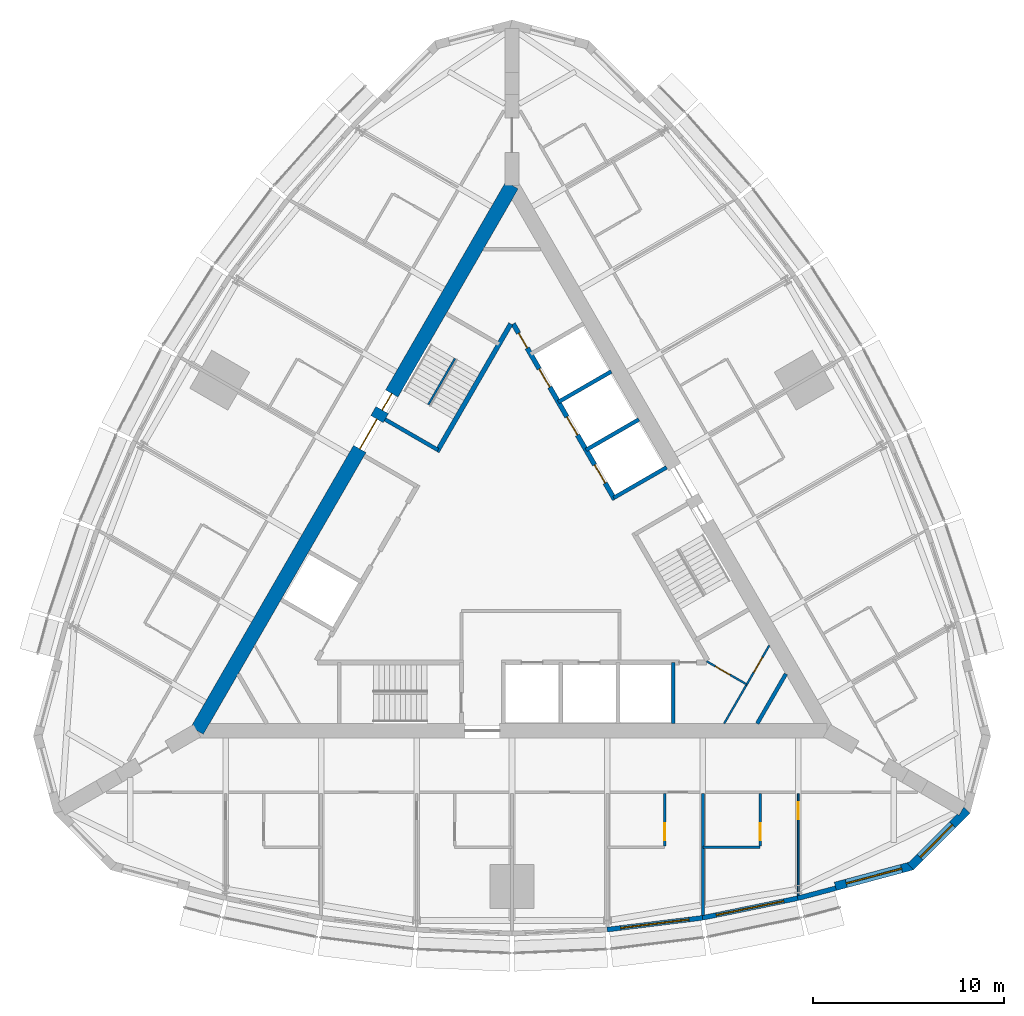
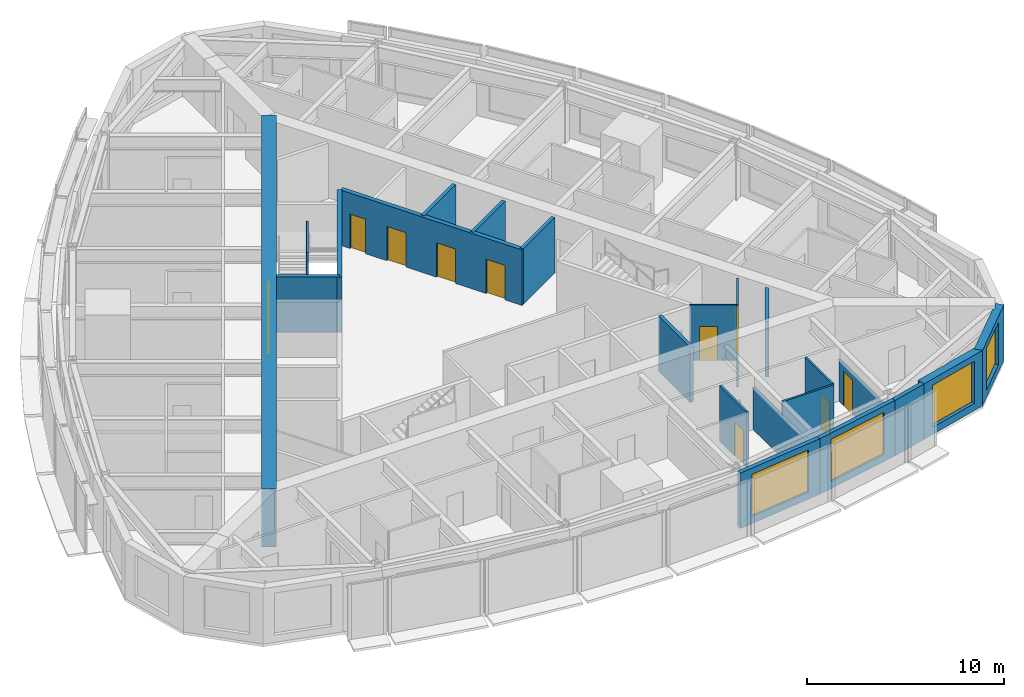
# One storey, part 11 of 15: 22 walls, 11 doors, 4 windows, 15 openings.
"""IFC4 building model written with IfcOpenShell, lengths in metres."""

import ifcopenshell
import ifcopenshell.guid

model = None  # the IFC model being written
_history = None  # IfcOwnerHistory: only IFC2X3 demands one
_inside = {}  # id of a spatial element -> (the spatial element, [elements in it])
_under = {}  # id of a project, library or spatial element -> (it, [spatial elements below it])
_declared = {}  # id of a project -> (the project, [libraries it declares])
_typed = {}  # id of a type object -> (the type object, [elements of that type])
_made_of = {}  # id of a material, layer set ... -> (it, [elements and type objects made of it])


def new_model(schema):
    """Start an empty IFC model of exactly this schema.

    Asked for "IFC4X3", IfcOpenShell would pick the latest addendum, in which some entities
    have other attributes; the version numbers below select the first issue.
    IFC2X3 requires an IfcOwnerHistory on every rooted entity: one is made here for all.
    """
    global model, _history
    if schema == "IFC4X3":
        model = ifcopenshell.file(schema_version=(4, 3, 0, 0))
    else:
        model = ifcopenshell.file(schema=schema)
    _inside.clear()
    _under.clear()
    _declared.clear()
    _typed.clear()
    _made_of.clear()
    _history = None
    if model.schema == "IFC2X3":
        org = make("IfcOrganization", Name="unknown")
        user = make(
            "IfcPersonAndOrganization",
            ThePerson=make("IfcPerson", FamilyName="unknown"),
            TheOrganization=org,
        )
        app = make(
            "IfcApplication",
            ApplicationDeveloper=org,
            Version="unknown",
            ApplicationFullName="unknown",
            ApplicationIdentifier="unknown",
        )
        _history = make(
            "IfcOwnerHistory",
            OwningUser=user,
            OwningApplication=app,
            ChangeAction="ADDED",
            CreationDate=0,
        )
    return model


def make(cls, **values):
    """One entity of the class cls with the attributes given. An attribute that is None is left unset."""
    return model.create_entity(
        cls, **{name: value for name, value in values.items() if value is not None}
    )


def rooted(cls, **values):
    """An entity with a GlobalId (a new one), such as an element, a storey or a relation."""
    return make(cls, GlobalId=ifcopenshell.guid.new(), OwnerHistory=_history, **values)


def si_unit(unit_type, name, prefix=None):
    """IfcSIUnit, for example si_unit("LENGTHUNIT", "METRE", prefix="MILLI")."""
    return make("IfcSIUnit", UnitType=unit_type, Prefix=prefix, Name=name)


def assignment(units):
    """IfcUnitAssignment: the units of a project."""
    return None if units is None else make("IfcUnitAssignment", Units=units)


def point(xyz):
    """IfcCartesianPoint."""
    return None if xyz is None else make("IfcCartesianPoint", Coordinates=xyz)


def direction(xyz):
    """IfcDirection."""
    return None if xyz is None else make("IfcDirection", DirectionRatios=xyz)


def frame(location, z_axis=None, x_axis=None):
    """IfcAxis2Placement3D, a coordinate frame: its origin and axes. An axis left out is left unset."""
    return make(
        "IfcAxis2Placement3D",
        Location=point(location),
        Axis=direction(z_axis),
        RefDirection=direction(x_axis),
    )


def frame_2d(location, x_axis=None):
    """IfcAxis2Placement2D, a coordinate frame in the plane: its origin and x axis."""
    return make(
        "IfcAxis2Placement2D", Location=point(location), RefDirection=direction(x_axis)
    )


def origin():
    """The frame at (0, 0, 0) with its axes left unset."""
    return frame((0.0, 0.0, 0.0))


def place(relative_to, where):
    """IfcLocalPlacement: puts the frame where relative to a parent placement (None: the world)."""
    return make(
        "IfcLocalPlacement", PlacementRelTo=relative_to, RelativePlacement=where
    )


def context(
    kind, dimensions, precision=None, world=None, true_north=None, identifier=None
):
    """IfcGeometricRepresentationContext, for example the 3D "Model" context."""
    return make(
        "IfcGeometricRepresentationContext",
        ContextIdentifier=identifier,
        ContextType=kind,
        CoordinateSpaceDimension=dimensions,
        Precision=precision,
        WorldCoordinateSystem=world,
        TrueNorth=true_north,
    )


def subcontext(parent, identifier, kind, view, scale=None):
    """IfcGeometricRepresentationSubContext, for example "Body" below "Model"."""
    return make(
        "IfcGeometricRepresentationSubContext",
        ContextIdentifier=identifier,
        ContextType=kind,
        ParentContext=parent,
        TargetScale=scale,
        TargetView=view,
    )


def project(units=None, contexts=None):
    """IfcProject with its units and contexts."""
    return rooted(
        "IfcProject",
        Name="project",
        RepresentationContexts=contexts,
        UnitsInContext=assignment(units),
    )


def spatial(cls, under=None, at=None, **own):
    """A site, building, storey or space (cls), placed at a placement, below another one or the project."""
    s = rooted(cls, ObjectPlacement=at, **own)
    if under is not None:
        _under.setdefault(under.id(), (under, []))[1].append(s)
    return s


def polyline(points):
    """IfcPolyline through the points."""
    return make("IfcPolyline", Points=[point(p) for p in points])


def profile(cls, at=None, kind="AREA", **sizes):
    """A parametric profile (cls). Its sizes go by their IFC names, for example OverallWidth=200.0."""
    return make(cls, ProfileType=kind, Position=at, **sizes)


def rectangle(**sizes):
    """IfcRectangleProfileDef."""
    return profile("IfcRectangleProfileDef", **sizes)


def outline(outer, holes=None, kind="AREA"):
    """IfcArbitraryClosedProfileDef: a profile drawn as a closed curve; with holes, ...WithVoids."""
    if holes is None:
        return make("IfcArbitraryClosedProfileDef", ProfileType=kind, OuterCurve=outer)
    return make(
        "IfcArbitraryProfileDefWithVoids",
        ProfileType=kind,
        OuterCurve=outer,
        InnerCurves=holes,
    )


def extrude(swept, where, along, depth):
    """IfcExtrudedAreaSolid: the profile swept, set in the frame where, extruded along a direction by depth."""
    return make(
        "IfcExtrudedAreaSolid",
        SweptArea=swept,
        Position=where,
        ExtrudedDirection=direction(along),
        Depth=depth,
    )


def shape(context_of_items, identifier, shape_type, items):
    """IfcShapeRepresentation: the items that make up one representation, for example the "Body"."""
    return make(
        "IfcShapeRepresentation",
        ContextOfItems=context_of_items,
        RepresentationIdentifier=identifier,
        RepresentationType=shape_type,
        Items=items,
    )


def material(Name=None, Category=None):
    """IfcMaterial."""
    return make("IfcMaterial", Name=Name, Category=Category)


def layer(
    of_material, thickness, ventilated=None, Name=None, Category=None, Priority=None
):
    """IfcMaterialLayer: one layer of a wall or slab, of a material (None: an air gap)."""
    return make(
        "IfcMaterialLayer",
        Material=of_material,
        LayerThickness=thickness,
        IsVentilated=ventilated,
        Name=Name,
        Category=Category,
        Priority=Priority,
    )


def layer_set(layers, Name=None):
    """IfcMaterialLayerSet."""
    return make("IfcMaterialLayerSet", MaterialLayers=layers, LayerSetName=Name)


def made_of(thing, what):
    """Note that an element or type object is made of a material, layer set ...; save() writes the relation."""
    if what is not None:
        _made_of.setdefault(what.id(), (what, []))[1].append(thing)
    return thing


def type_object(cls, material=None, **own):
    """A type object (cls), such as IfcWallType, which elements share."""
    return made_of(rooted(cls, **own), material)


def element(
    cls,
    number,
    at=None,
    inside=None,
    cuts=None,
    type_object=None,
    material=None,
    context=None,
    identifier="Body",
    shape_type=None,
    held_by="IfcProductDefinitionShape",
    body=None,
    shapes=None,
    **own,
):
    """One element of the class cls, such as IfcWall. Its Tag is "e" and its number.

    at: its placement. inside: the storey or other place that contains it. cuts: it is an
    opening in that element (IfcRelVoidsElement). A single representation is given by context,
    identifier, shape_type and body (its items); several are given by shapes. held_by: the class
    of the entity that holds the representations. save() writes the other relations.
    """
    e = rooted(cls, Tag="e%d" % number, ObjectPlacement=at, **own)
    if body is not None:
        shapes = [shape(context, identifier, shape_type, body)]
    if shapes is not None:
        e.Representation = make(held_by, Representations=shapes)
    if inside is not None:
        _inside.setdefault(inside.id(), (inside, []))[1].append(e)
    if cuts is not None:
        rooted(
            "IfcRelVoidsElement", RelatingBuildingElement=cuts, RelatedOpeningElement=e
        )
    if type_object is not None:
        _typed.setdefault(type_object.id(), (type_object, []))[1].append(e)
    return made_of(e, material)


def fill(opening, filler):
    """IfcRelFillsElement: the door or window that sits in an opening."""
    return rooted(
        "IfcRelFillsElement",
        RelatingOpeningElement=opening,
        RelatedBuildingElement=filler,
    )


def aggregate(whole, parts):
    """IfcRelAggregates: a whole, such as a stair, and the parts it consists of."""
    return rooted("IfcRelAggregates", RelatingObject=whole, RelatedObjects=parts)


def save(model, path):
    """Write the relations noted so far, then the file.

    IfcRelAggregates (storeys below a building ...), IfcRelContainedInSpatialStructure (elements
    in a storey), IfcRelDefinesByType, IfcRelAssociatesMaterial and IfcRelDeclares: one each for
    every whole, place, type object, material and project.
    """
    for whole, parts in _under.values():
        aggregate(whole, parts)
    for where, things in _inside.values():
        rooted(
            "IfcRelContainedInSpatialStructure",
            RelatedElements=things,
            RelatingStructure=where,
        )
    for kind, things in _typed.values():
        rooted("IfcRelDefinesByType", RelatedObjects=things, RelatingType=kind)
    for what, things in _made_of.values():
        rooted("IfcRelAssociatesMaterial", RelatedObjects=things, RelatingMaterial=what)
    for by, libraries in _declared.values():
        rooted("IfcRelDeclares", RelatingContext=by, RelatedDefinitions=libraries)
    model.write(path)


model = new_model("IFC4")

# Units and contexts
model_context = context("Model", 3, precision=1e-05, world=origin(), true_north=direction((0.0, 1.0)))
body_context = subcontext(model_context, "Body", "Model", "MODEL_VIEW")
ifc_project = project(units=[si_unit("LENGTHUNIT", "METRE"), si_unit("AREAUNIT", "SQUARE_METRE"), si_unit("VOLUMEUNIT", "CUBIC_METRE"), si_unit("PLANEANGLEUNIT", "RADIAN"), si_unit("MASSUNIT", "GRAM", prefix="KILO")], contexts=[model_context])

# Site, building, storey
site_placement = place(None, origin())
site = spatial("IfcSite", under=ifc_project, at=site_placement, CompositionType="ELEMENT")
building_placement = place(site_placement, origin())
building = spatial("IfcBuilding", under=site, at=building_placement, Name="Trikona Tower", CompositionType="ELEMENT")
storey_placement = place(building_placement, frame((0.0, 0.0, 226.10009765625)))
storey = spatial("IfcBuildingStorey", under=building, at=storey_placement, Name="L60", CompositionType="ELEMENT", Elevation=226.10009765625)

# Wall, opening, door
ifc_material_1 = material(Name="Metal stud and cement board", Category="gypsum")
ifc_layer_1 = layer(ifc_material_1, 0.1201171875)
ifc_layer_set_1 = layer_set([ifc_layer_1], Name="Bathroom wall 120")
wall_type_1 = type_object("IfcWallType", Name="Bathroom wall 120", PredefinedType="PLUMBINGWALL", material=ifc_layer_set_1)
wall_1_placement = place(storey_placement, frame((8.0, -12.826416015625, 0.0), z_axis=(0.0, 0.0, 1.0), x_axis=(0.0, -1.0, 0.0)))
wall_1 = element("IfcWall", 1, at=wall_1_placement, inside=storey, type_object=wall_type_1, Name="Bathroom wall 6003", PredefinedType="PLUMBINGWALL", context=body_context, shape_type="SweptSolid", body=[
    extrude(rectangle(XDim=2.739990234375, YDim=0.1201171875, at=frame_2d((1.3701171875, 0.0))), origin(), (0.0, 0.0, 1.0), 3.434814453125),
])
opening_1_placement = place(wall_1_placement, frame((1.550048828125, 0.0, 0.0)))
opening_1 = element("IfcOpeningElement", 2, at=opening_1_placement, cuts=wall_1, Name="Opening D2", PredefinedType="OPENING", context=body_context, shape_type="SweptSolid", body=[
    extrude(rectangle(XDim=0.89990234375, YDim=2.1298828125, at=frame_2d((0.449951171875, 1.06494140625))), frame((0.0, 0.070068359375, 0.0), z_axis=(0.0, -1.0, 0.0), x_axis=(1.0, 0.0, 0.0)), (0.0, 0.0, 1.0), 0.14013671875),
])
ifc_material_2 = material(Name="Steel door frame with solid-core timber leaf", Category="steel")
door_type_1 = type_object("IfcDoorType", Name="Bathroom door 900x2130", OperationType="SLIDING_TO_LEFT", PredefinedType="DOOR", material=ifc_material_2)
door_1_placement = place(opening_1_placement, origin())
door_1 = element("IfcDoor", 3, at=door_1_placement, inside=storey, type_object=door_type_1, Name="Bathroom door 6003", OperationType="SLIDING_TO_LEFT", OverallHeight=2.1298828125, OverallWidth=0.89990234375, PredefinedType="DOOR", context=body_context, shape_type="SweptSolid", body=[
    extrude(rectangle(XDim=0.89990234375, YDim=2.1298828125, at=frame_2d((0.449951171875, 1.06494140625))), frame((0.0, 0.02490234375, 0.0), z_axis=(0.0, -1.0, 0.0), x_axis=(1.0, 0.0, 0.0)), (0.0, 0.0, 1.0), 0.050048828125),
])
fill(opening_1, door_1)

# Wall
wall_2_placement = place(storey_placement, frame((10.0, -15.626220703125, 0.0), z_axis=(0.0, 0.0, 1.0), x_axis=(1.0, 0.0, 0.0)))
element("IfcWall", 4, at=wall_2_placement, inside=storey, type_object=wall_type_1, Name="Bathroom wall 6004.1", PredefinedType="PLUMBINGWALL", context=body_context, shape_type="SweptSolid", body=[
    extrude(rectangle(XDim=3.0, YDim=0.1201171875, at=frame_2d((1.5, 0.0))), origin(), (0.0, 0.0, 1.0), 3.434814453125),
])

# Wall, opening, door
wall_3_placement = place(storey_placement, frame((13.0, -12.826416015625, 0.0), z_axis=(0.0, 0.0, 1.0), x_axis=(0.0, -1.0, 0.0)))
wall_3 = element("IfcWall", 5, at=wall_3_placement, inside=storey, type_object=wall_type_1, Name="Bathroom wall 6004.1", PredefinedType="PLUMBINGWALL", context=body_context, shape_type="SweptSolid", body=[
    extrude(rectangle(XDim=2.739990234375, YDim=0.1201171875, at=frame_2d((1.3701171875, 0.0))), origin(), (0.0, 0.0, 1.0), 3.434814453125),
])
opening_2_placement = place(wall_3_placement, frame((1.550048828125, 0.0, 0.0)))
opening_2 = element("IfcOpeningElement", 6, at=opening_2_placement, cuts=wall_3, Name="Opening D2", PredefinedType="OPENING", context=body_context, shape_type="SweptSolid", body=[
    extrude(rectangle(XDim=0.89990234375, YDim=2.1298828125, at=frame_2d((0.449951171875, 1.06494140625))), frame((0.0, 0.070068359375, 0.0), z_axis=(0.0, -1.0, 0.0), x_axis=(1.0, 0.0, 0.0)), (0.0, 0.0, 1.0), 0.14013671875),
])
door_2_placement = place(opening_2_placement, origin())
door_2 = element("IfcDoor", 7, at=door_2_placement, inside=storey, type_object=door_type_1, Name="Bathroom door 6004.1", OperationType="SLIDING_TO_LEFT", OverallHeight=2.1298828125, OverallWidth=0.89990234375, PredefinedType="DOOR", context=body_context, shape_type="SweptSolid", body=[
    extrude(rectangle(XDim=0.89990234375, YDim=2.1298828125, at=frame_2d((0.449951171875, 1.06494140625))), frame((0.0, 0.02490234375, 0.0), z_axis=(0.0, -1.0, 0.0), x_axis=(1.0, 0.0, 0.0)), (0.0, 0.0, 1.0), 0.050048828125),
])
fill(opening_2, door_2)

# Wall, opening, window
ifc_material_3 = material(Name="Brick-faced precast concrete", Category="masonry")
ifc_layer_2 = layer(ifc_material_3, 0.449951171875)
ifc_layer_set_2 = layer_set([ifc_layer_2], Name="Brick-faced corner wall 450")
wall_type_2 = type_object("IfcWallType", Name="Brick-faced corner wall 450", PredefinedType="SOLIDWALL", material=ifc_layer_set_2)
wall_4_placement = place(storey_placement, frame((16.94189453125, -17.6806640625, 0.0), z_axis=(0.0, 0.0, 1.0), x_axis=(0.965920442324, 0.258839137498, 0.0)))
wall_4 = element("IfcWall", 8, at=wall_4_placement, inside=storey, type_object=wall_type_2, Name="External wall L60-08", PredefinedType="SOLIDWALL", context=body_context, shape_type="SweptSolid", body=[
    extrude(rectangle(XDim=4.18408203125, YDim=0.449951171875, at=frame_2d((2.092041015625, 0.0))), origin(), (0.0, 0.0, 1.0), 3.434814453125),
])
opening_3_placement = place(wall_4_placement, frame((0.592041015625, 0.0, 0.449951171875)))
opening_3 = element("IfcOpeningElement", 9, at=opening_3_placement, cuts=wall_4, Name="Opening W3026", PredefinedType="OPENING", context=body_context, shape_type="SweptSolid", body=[
    extrude(rectangle(XDim=3.0, YDim=2.60009765625, at=frame_2d((1.5, 1.300048828125))), frame((0.0, 0.23486328125, 0.0), z_axis=(0.0, -1.0, 0.0), x_axis=(1.0, 0.0, 0.0)), (0.0, 0.0, 1.0), 0.469970703125),
])
ifc_material_4 = material(Name="Aluminium-framed double glazing", Category="aluminium")
window_type_1 = type_object("IfcWindowType", Name="Window 3000x2600", PartitioningType="SINGLE_PANEL", PredefinedType="WINDOW", material=ifc_material_4)
window_1_placement = place(opening_3_placement, origin())
window_1 = element("IfcWindow", 10, at=window_1_placement, inside=storey, type_object=window_type_1, Name="Window 6004", OverallHeight=2.60009765625, OverallWidth=3.0, PartitioningType="SINGLE_PANEL", PredefinedType="WINDOW", context=body_context, shape_type="SweptSolid", body=[
    extrude(rectangle(XDim=3.0, YDim=2.60009765625, at=frame_2d((1.5, 1.300048828125))), frame((0.0, 0.030029296875, 0.0), z_axis=(0.0, -1.0, 0.0), x_axis=(1.0, 0.0, 0.0)), (0.0, 0.0, 1.0), 0.06005859375),
])
fill(opening_3, window_1)

wall_5_placement = place(storey_placement, frame((20.88232421875, -16.656005859375, 0.0), z_axis=(0.0, 0.0, 1.0), x_axis=(0.707077605902, 0.707135955267, 0.0)))
wall_5 = element("IfcWall", 11, at=wall_5_placement, inside=storey, type_object=wall_type_2, Name="External wall L60-09", PredefinedType="SOLIDWALL", context=body_context, shape_type="SweptSolid", body=[
    extrude(outline(polyline([(4.18408203125, 0.22509765625), (4.125244140625, 0.22509765625), (3.705322265625, 0.112548828125), (3.67529296875, 0.22509765625), (0.0, 0.22509765625), (0.0, -0.22509765625), (4.18408203125, -0.22509765625), (4.18408203125, 0.22509765625)])), origin(), (0.0, 0.0, 1.0), 3.434814453125),
])
opening_4_placement = place(wall_5_placement, frame((0.712646484375, 0.0, 0.449951171875)))
opening_4 = element("IfcOpeningElement", 12, at=opening_4_placement, cuts=wall_5, Name="Opening W2426", PredefinedType="OPENING", context=body_context, shape_type="SweptSolid", body=[
    extrude(rectangle(XDim=2.39990234375, YDim=2.60009765625, at=frame_2d((1.199951171875, 1.300048828125))), frame((0.0, 0.23486328125, 0.0), z_axis=(0.0, -1.0, 0.0), x_axis=(1.0, 0.0, 0.0)), (0.0, 0.0, 1.0), 0.469970703125),
])
ifc_material_5 = material(Name="Aluminium-framed double glazing", Category="aluminium")
window_type_2 = type_object("IfcWindowType", Name="Window 2400x2600", PartitioningType="SINGLE_PANEL", PredefinedType="WINDOW", material=ifc_material_5)
window_2_placement = place(opening_4_placement, origin())
window_2 = element("IfcWindow", 13, at=window_2_placement, inside=storey, type_object=window_type_2, Name="Window 6004", OverallHeight=2.60009765625, OverallWidth=2.39990234375, PartitioningType="SINGLE_PANEL", PredefinedType="WINDOW", context=body_context, shape_type="SweptSolid", body=[
    extrude(rectangle(XDim=2.39990234375, YDim=2.60009765625, at=frame_2d((1.199951171875, 1.300048828125))), frame((0.0, 0.030029296875, 0.0), z_axis=(0.0, -1.0, 0.0), x_axis=(1.0, 0.0, 0.0)), (0.0, 0.0, 1.0), 0.06005859375),
])
fill(opening_4, window_2)

# Wall, openings, doors
ifc_material_6 = material(Name="Concrete f'c 10000 psi", Category="concrete")
ifc_layer_3 = layer(ifc_material_6, 0.75)
ifc_layer_set_3 = layer_set([ifc_layer_3], Name="Core wall 750")
wall_type_3 = type_object("IfcWallType", Name="Core wall 750", PredefinedType="SHEAR", material=ifc_layer_set_3)
wall_6_placement = place(storey_placement, frame((0.0, 19.052490234375, 0.0), z_axis=(0.0, 0.0, 1.0), x_axis=(-0.499999749417, -0.866025548458, 0.0)))
wall_6 = element("IfcWall", 14, at=wall_6_placement, inside=storey, type_object=wall_type_3, Name="Core wall C", PredefinedType="SHEAR", context=body_context, shape_type="SweptSolid", body=[
    extrude(rectangle(XDim=33.0, YDim=0.75, at=frame_2d((16.5, 0.0))), origin(), (0.0, 0.0, 1.0), 3.599853515625),
])
opening_5_placement = place(wall_6_placement, frame((14.14990234375, 0.0, 0.0)))
opening_5 = element("IfcOpeningElement", 15, at=opening_5_placement, cuts=wall_6, Name="Opening D6", PredefinedType="OPENING", context=body_context, shape_type="SweptSolid", body=[
    extrude(rectangle(XDim=1.800048828125, YDim=2.1298828125, at=frame_2d((0.89990234375, 1.06494140625))), frame((0.0, 0.385009765625, 0.0), z_axis=(0.0, -1.0, 0.0), x_axis=(1.0, 0.0, 0.0)), (0.0, 0.0, 1.0), 0.77001953125),
])
opening_6_placement = place(wall_6_placement, frame((12.60009765625, 0.0, 0.0)))
opening_6 = element("IfcOpeningElement", 16, at=opening_6_placement, cuts=wall_6, Name="Opening D5", PredefinedType="OPENING", context=body_context, shape_type="SweptSolid", body=[
    extrude(rectangle(XDim=1.0, YDim=2.1298828125, at=frame_2d((0.5, 1.06494140625))), frame((0.0, 0.385009765625, 0.0), z_axis=(0.0, -1.0, 0.0), x_axis=(1.0, 0.0, 0.0)), (0.0, 0.0, 1.0), 0.77001953125),
])
ifc_material_7 = material(Name="Hollow metal door and frame", Category="steel")
door_type_2 = type_object("IfcDoorType", Name="Lobby door pair 1800x2130", OperationType="DOUBLE_DOOR_SINGLE_SWING", PredefinedType="DOOR", material=ifc_material_7)
door_3_placement = place(opening_5_placement, origin())
door_3 = element("IfcDoor", 17, at=door_3_placement, inside=storey, type_object=door_type_2, Name="Lift lobby door C", OperationType="DOUBLE_DOOR_SINGLE_SWING", OverallHeight=2.1298828125, OverallWidth=1.800048828125, PredefinedType="DOOR", context=body_context, shape_type="SweptSolid", body=[
    extrude(rectangle(XDim=1.800048828125, YDim=2.1298828125, at=frame_2d((0.89990234375, 1.06494140625))), frame((0.0, 0.02490234375, 0.0), z_axis=(0.0, -1.0, 0.0), x_axis=(1.0, 0.0, 0.0)), (0.0, 0.0, 1.0), 0.050048828125),
])
fill(opening_5, door_3)
ifc_material_8 = material(Name="Hollow metal door and frame", Category="steel")
door_type_3 = type_object("IfcDoorType", Name="Stair door 1000x2130", OperationType="SINGLE_SWING_LEFT", PredefinedType="DOOR", material=ifc_material_8)
door_4_placement = place(opening_6_placement, origin())
door_4 = element("IfcDoor", 18, at=door_4_placement, inside=storey, type_object=door_type_3, Name="Stair C door", OperationType="SINGLE_SWING_RIGHT", OverallHeight=2.1298828125, OverallWidth=1.0, PredefinedType="DOOR", context=body_context, shape_type="SweptSolid", body=[
    extrude(rectangle(XDim=1.0, YDim=2.1298828125, at=frame_2d((0.5, 1.06494140625))), frame((0.0, 0.02490234375, 0.0), z_axis=(0.0, -1.0, 0.0), x_axis=(1.0, 0.0, 0.0)), (0.0, 0.0, 1.0), 0.050048828125),
])
fill(opening_6, door_4)

ifc_material_9 = material(Name="Concrete f'c 8000 psi", Category="concrete")
ifc_layer_4 = layer(ifc_material_9, 0.25)
ifc_layer_set_4 = layer_set([ifc_layer_4], Name="Hub wall 250")
wall_type_4 = type_object("IfcWallType", Name="Hub wall 250", PredefinedType="SOLIDWALL", material=ifc_layer_set_4)
wall_7_placement = place(storey_placement, frame((5.37890625, 2.5859375, 0.0), z_axis=(0.0, 0.0, 1.0), x_axis=(-0.500001375892, 0.866024609411, 0.0)))
wall_7 = element("IfcWall", 19, at=wall_7_placement, inside=storey, type_object=wall_type_4, Name="Lift lobby wall B2", PredefinedType="SOLIDWALL", context=body_context, shape_type="SweptSolid", body=[
    extrude(rectangle(XDim=10.6328125, YDim=0.25, at=frame_2d((5.31640625, 0.0))), origin(), (0.0, 0.0, 1.0), 3.434814453125),
])
opening_7_placement = place(wall_7_placement, frame((9.1640625, 0.0, 0.0)))
opening_7 = element("IfcOpeningElement", 20, at=opening_7_placement, cuts=wall_7, Name="Opening D14", PredefinedType="OPENING", context=body_context, shape_type="SweptSolid", body=[
    extrude(rectangle(XDim=0.89990234375, YDim=2.1298828125, at=frame_2d((0.449951171875, 1.06494140625))), frame((0.0, 0.135009765625, 0.0), z_axis=(0.0, -1.0, 0.0), x_axis=(1.0, 0.0, 0.0)), (0.0, 0.0, 1.0), 0.27001953125),
])
opening_8_placement = place(wall_7_placement, frame((1.0, 0.0, 0.0)))
opening_8 = element("IfcOpeningElement", 21, at=opening_8_placement, cuts=wall_7, Name="Opening LD", PredefinedType="OPENING", context=body_context, shape_type="SweptSolid", body=[
    extrude(rectangle(XDim=1.10009765625, YDim=2.1298828125, at=frame_2d((0.550048828125, 1.06494140625))), frame((0.0, 0.135009765625, 0.0), z_axis=(0.0, -1.0, 0.0), x_axis=(1.0, 0.0, 0.0)), (0.0, 0.0, 1.0), 0.27001953125),
])
opening_9_placement = place(wall_7_placement, frame((3.89990234375, 0.0, 0.0)))
opening_9 = element("IfcOpeningElement", 22, at=opening_9_placement, cuts=wall_7, Name="Opening LD", PredefinedType="OPENING", context=body_context, shape_type="SweptSolid", body=[
    extrude(rectangle(XDim=1.10009765625, YDim=2.1298828125, at=frame_2d((0.550048828125, 1.06494140625))), frame((0.0, 0.135009765625, 0.0), z_axis=(0.0, -1.0, 0.0), x_axis=(1.0, 0.0, 0.0)), (0.0, 0.0, 1.0), 0.27001953125),
])
opening_10_placement = place(wall_7_placement, frame((6.800048828125, 0.0, 0.0)))
opening_10 = element("IfcOpeningElement", 23, at=opening_10_placement, cuts=wall_7, Name="Opening LD", PredefinedType="OPENING", context=body_context, shape_type="SweptSolid", body=[
    extrude(rectangle(XDim=1.10009765625, YDim=2.1298828125, at=frame_2d((0.550048828125, 1.06494140625))), frame((0.0, 0.135009765625, 0.0), z_axis=(0.0, -1.0, 0.0), x_axis=(1.0, 0.0, 0.0)), (0.0, 0.0, 1.0), 0.27001953125),
])
ifc_material_10 = material(Name="Stainless steel lift landing door", Category="steel")
door_type_4 = type_object("IfcDoorType", Name="Lift landing door 1100x2130", OperationType="DOUBLE_DOOR_SLIDING", PredefinedType="USERDEFINED", material=ifc_material_10)
door_5_placement = place(opening_8_placement, origin())
door_5 = element("IfcDoor", 24, at=door_5_placement, inside=storey, type_object=door_type_4, Name="Lift landing door L3-1", ObjectType="LIFT LANDING DOOR", OperationType="DOUBLE_DOOR_SLIDING", OverallHeight=2.1298828125, OverallWidth=1.10009765625, PredefinedType="USERDEFINED", context=body_context, shape_type="SweptSolid", body=[
    extrude(rectangle(XDim=1.10009765625, YDim=2.1298828125, at=frame_2d((0.550048828125, 1.06494140625))), frame((0.0, 0.02490234375, 0.0), z_axis=(0.0, -1.0, 0.0), x_axis=(1.0, 0.0, 0.0)), (0.0, 0.0, 1.0), 0.050048828125),
])
fill(opening_8, door_5)
door_6_placement = place(opening_9_placement, origin())
door_6 = element("IfcDoor", 25, at=door_6_placement, inside=storey, type_object=door_type_4, Name="Lift landing door L3-2", ObjectType="LIFT LANDING DOOR", OperationType="DOUBLE_DOOR_SLIDING", OverallHeight=2.1298828125, OverallWidth=1.10009765625, PredefinedType="USERDEFINED", context=body_context, shape_type="SweptSolid", body=[
    extrude(rectangle(XDim=1.10009765625, YDim=2.1298828125, at=frame_2d((0.550048828125, 1.06494140625))), frame((0.0, 0.02490234375, 0.0), z_axis=(0.0, -1.0, 0.0), x_axis=(1.0, 0.0, 0.0)), (0.0, 0.0, 1.0), 0.050048828125),
])
fill(opening_9, door_6)
door_7_placement = place(opening_10_placement, origin())
door_7 = element("IfcDoor", 26, at=door_7_placement, inside=storey, type_object=door_type_4, Name="Lift landing door L3-3", ObjectType="LIFT LANDING DOOR", OperationType="DOUBLE_DOOR_SLIDING", OverallHeight=2.1298828125, OverallWidth=1.10009765625, PredefinedType="USERDEFINED", context=body_context, shape_type="SweptSolid", body=[
    extrude(rectangle(XDim=1.10009765625, YDim=2.1298828125, at=frame_2d((0.550048828125, 1.06494140625))), frame((0.0, 0.02490234375, 0.0), z_axis=(0.0, -1.0, 0.0), x_axis=(1.0, 0.0, 0.0)), (0.0, 0.0, 1.0), 0.050048828125),
])
fill(opening_10, door_7)
ifc_material_11 = material(Name="Hollow metal door and frame", Category="steel")
door_type_5 = type_object("IfcDoorType", Name="Service room door 900x2130", OperationType="SINGLE_SWING_LEFT", PredefinedType="DOOR", material=ifc_material_11)
door_8_placement = place(opening_7_placement, origin())
door_8 = element("IfcDoor", 27, at=door_8_placement, inside=storey, type_object=door_type_5, Name="Door Housekeeping store HKS", OperationType="SINGLE_SWING_RIGHT", OverallHeight=2.1298828125, OverallWidth=0.89990234375, PredefinedType="DOOR", context=body_context, shape_type="SweptSolid", body=[
    extrude(rectangle(XDim=0.89990234375, YDim=2.1298828125, at=frame_2d((0.449951171875, 1.06494140625))), frame((0.0, 0.02490234375, 0.0), z_axis=(0.0, -1.0, 0.0), x_axis=(1.0, 0.0, 0.0)), (0.0, 0.0, 1.0), 0.050048828125),
])
fill(opening_7, door_8)

# Wall
wall_8_placement = place(storey_placement, frame((-0.0625, 11.794189453125, 0.0), z_axis=(0.0, 0.0, 1.0), x_axis=(-0.500006680225, -0.86602154692, 0.0)))
element("IfcWall", 28, at=wall_8_placement, inside=storey, type_object=wall_type_4, Name="Lift lobby wall C1", PredefinedType="SOLIDWALL", context=body_context, shape_type="SweptSolid", body=[
    extrude(rectangle(XDim=7.73291015625, YDim=0.25, at=frame_2d((3.866455078125, 0.0))), origin(), (0.0, 0.0, 1.0), 3.434814453125),
])

# Wall, opening, window
ifc_material_12 = material(Name="Insulated precast concrete spandrel panel", Category="concrete")
ifc_layer_5 = layer(ifc_material_12, 0.25)
ifc_layer_set_5 = layer_set([ifc_layer_5], Name="Inner skin wall 250")
wall_type_5 = type_object("IfcWallType", Name="Inner skin wall 250", PredefinedType="STANDARD", material=ifc_layer_set_5)
wall_9_placement = place(storey_placement, frame((4.984619140625, -19.947998046875, 0.0), z_axis=(0.0, 0.0, 1.0), x_axis=(0.992449874964, 0.12265090984, 0.0)))
wall_9 = element("IfcWall", 29, at=wall_9_placement, inside=storey, type_object=wall_type_5, Name="External wall L60-05", PredefinedType="STANDARD", context=body_context, shape_type="SweptSolid", body=[
    extrude(rectangle(XDim=5.0380859375, YDim=0.25, at=frame_2d((2.51904296875, 0.0))), origin(), (0.0, 0.0, 1.0), 3.434814453125),
])
opening_11_placement = place(wall_9_placement, frame((0.718994140625, 0.0, 0.449951171875)))
opening_11 = element("IfcOpeningElement", 30, at=opening_11_placement, cuts=wall_9, Name="Opening W3626", PredefinedType="OPENING", context=body_context, shape_type="SweptSolid", body=[
    extrude(rectangle(XDim=3.60009765625, YDim=2.60009765625, at=frame_2d((1.800048828125, 1.300048828125))), frame((0.0, 0.135009765625, 0.0), z_axis=(0.0, -1.0, 0.0), x_axis=(1.0, 0.0, 0.0)), (0.0, 0.0, 1.0), 0.27001953125),
])
ifc_material_13 = material(Name="Aluminium-framed double glazing", Category="aluminium")
window_type_3 = type_object("IfcWindowType", Name="Window 3600x2600", PartitioningType="SINGLE_PANEL", PredefinedType="WINDOW", material=ifc_material_13)
window_3_placement = place(opening_11_placement, origin())
window_3 = element("IfcWindow", 31, at=window_3_placement, inside=storey, type_object=window_type_3, Name="Window 6003", OverallHeight=2.60009765625, OverallWidth=3.60009765625, PartitioningType="SINGLE_PANEL", PredefinedType="WINDOW", context=body_context, shape_type="SweptSolid", body=[
    extrude(rectangle(XDim=3.60009765625, YDim=2.60009765625, at=frame_2d((1.800048828125, 1.300048828125))), frame((0.0, 0.030029296875, 0.0), z_axis=(0.0, -1.0, 0.0), x_axis=(1.0, 0.0, 0.0)), (0.0, 0.0, 1.0), 0.06005859375),
])
fill(opening_11, window_3)

wall_10_placement = place(storey_placement, frame((9.974853515625, -19.331787109375, 0.0), z_axis=(0.0, 0.0, 1.0), x_axis=(0.979461488189, 0.201631329795, 0.0)))
wall_10 = element("IfcWall", 32, at=wall_10_placement, inside=storey, type_object=wall_type_5, Name="External wall L60-06", PredefinedType="STANDARD", context=body_context, shape_type="SweptSolid", body=[
    extrude(rectangle(XDim=5.104736328125, YDim=0.25, at=frame_2d((2.55224609375, 0.0))), origin(), (0.0, 0.0, 1.0), 3.434814453125),
])
opening_12_placement = place(wall_10_placement, frame((0.75244140625, 0.0, 0.449951171875)))
opening_12 = element("IfcOpeningElement", 33, at=opening_12_placement, cuts=wall_10, Name="Opening W3626", PredefinedType="OPENING", context=body_context, shape_type="SweptSolid", body=[
    extrude(rectangle(XDim=3.60009765625, YDim=2.60009765625, at=frame_2d((1.800048828125, 1.300048828125))), frame((0.0, 0.135009765625, 0.0), z_axis=(0.0, -1.0, 0.0), x_axis=(1.0, 0.0, 0.0)), (0.0, 0.0, 1.0), 0.27001953125),
])
window_4_placement = place(opening_12_placement, origin())
window_4 = element("IfcWindow", 34, at=window_4_placement, inside=storey, type_object=window_type_3, Name="Window 6004.1", OverallHeight=2.60009765625, OverallWidth=3.60009765625, PartitioningType="SINGLE_PANEL", PredefinedType="WINDOW", context=body_context, shape_type="SweptSolid", body=[
    extrude(rectangle(XDim=3.60009765625, YDim=2.60009765625, at=frame_2d((1.800048828125, 1.300048828125))), frame((0.0, 0.030029296875, 0.0), z_axis=(0.0, -1.0, 0.0), x_axis=(1.0, 0.0, 0.0)), (0.0, 0.0, 1.0), 0.06005859375),
])
fill(opening_12, window_4)

# Walls
wall_11_placement = place(storey_placement, frame((14.968017578125, -18.303955078125, 0.0), z_axis=(0.0, 0.0, 1.0), x_axis=(0.967010286052, 0.254737328772, 0.0)))
element("IfcWall", 35, at=wall_11_placement, inside=storey, type_object=wall_type_5, Name="External wall L60-07", PredefinedType="STANDARD", context=body_context, shape_type="SweptSolid", body=[
    extrude(rectangle(XDim=2.068115234375, YDim=0.25, at=frame_2d((1.0341796875, 0.0))), origin(), (0.0, 0.0, 1.0), 3.434814453125),
])
ifc_material_14 = material(Name="Metal stud and gypsum board, 1-hour acoustic", Category="gypsum")
ifc_layer_6 = layer(ifc_material_14, 0.14990234375)
ifc_layer_set_6 = layer_set([ifc_layer_6], Name="Party wall 150")
wall_type_6 = type_object("IfcWallType", Name="Party wall 150", PredefinedType="PARTITIONING", material=ifc_layer_set_6)
wall_12_placement = place(storey_placement, frame((10.0, -12.826416015625, 0.0), z_axis=(0.0, 0.0, 1.0), x_axis=(0.0, -1.0, 0.0)))
element("IfcWall", 36, at=wall_12_placement, inside=storey, type_object=wall_type_6, Name="Partition L60 F1 u10", PredefinedType="PARTITIONING", context=body_context, shape_type="SweptSolid", body=[
    extrude(rectangle(XDim=6.372802734375, YDim=0.14990234375, at=frame_2d((3.1865234375, 0.0))), origin(), (0.0, 0.0, 1.0), 2.589111328125),
])
ifc_material_15 = material(Name="Concrete f'c 8000 psi", Category="concrete")
ifc_layer_7 = layer(ifc_material_15, 0.199951171875)
ifc_layer_set_7 = layer_set([ifc_layer_7], Name="Shaft wall 200")
wall_type_7 = type_object("IfcWallType", Name="Shaft wall 200", PredefinedType="SOLIDWALL", material=ifc_layer_set_7)
wall_13_placement = place(storey_placement, frame((8.449951171875, -5.951416015625, 0.0), z_axis=(0.0, 0.0, 1.0), x_axis=(0.0, -1.0, 0.0)))
element("IfcWall", 37, at=wall_13_placement, inside=storey, type_object=wall_type_7, Name="Shaft wall A6", PredefinedType="SOLIDWALL", context=body_context, shape_type="SweptSolid", body=[
    extrude(rectangle(XDim=3.199951171875, YDim=0.199951171875, at=frame_2d((1.60009765625, 0.0))), origin(), (0.0, 0.0, 1.0), 3.434814453125),
])
wall_14_placement = place(storey_placement, frame((5.3291015625, 2.672607421875, 0.0), z_axis=(0.0, 0.0, 1.0), x_axis=(0.866022944154, 0.50000426018, 0.0)))
element("IfcWall", 38, at=wall_14_placement, inside=storey, type_object=wall_type_7, Name="Shaft wall B3", PredefinedType="SOLIDWALL", context=body_context, shape_type="SweptSolid", body=[
    extrude(rectangle(XDim=3.19970703125, YDim=0.199951171875, at=frame_2d((1.599853515625, 0.0))), origin(), (0.0, 0.0, 1.0), 3.434814453125),
])
for number, where, z_axis, x_axis, name in (
    (39, (3.87890625, 5.18408203125, 0.0), (0.0, 0.0, 1.0), (0.866042017984, 0.499971222258, 0.0), "Shaft wall B4"),
    (40, (2.428955078125, 7.695556640625, 0.0), (0.0, 0.0, 1.0), (0.866042017984, 0.499971222258, 0.0), "Shaft wall B5"),
):
    element("IfcWall", number, at=place(storey_placement, frame(where, z_axis=z_axis, x_axis=x_axis)), inside=storey, type_object=wall_type_7, Name=name, PredefinedType="SOLIDWALL", context=body_context, shape_type="SweptSolid", body=[
        extrude(rectangle(XDim=3.199951171875, YDim=0.199951171875, at=frame_2d((1.60009765625, 0.0))), origin(), (0.0, 0.0, 1.0), 3.434814453125),
    ])
wall_15_placement = place(storey_placement, frame((14.349365234375, -6.55126953125, 0.0), z_axis=(0.0, 0.0, 1.0), x_axis=(-0.499952404951, -0.866052881055, 0.0)))
element("IfcWall", 41, at=wall_15_placement, inside=storey, type_object=wall_type_7, Name="Riser wall L60-RS1", PredefinedType="SOLIDWALL", context=body_context, shape_type="SweptSolid", body=[
    extrude(rectangle(XDim=3.002197265625, YDim=0.199951171875, at=frame_2d((1.5009765625, 0.0))), origin(), (0.0, 0.0, 1.0), 3.434814453125),
])
ifc_material_16 = material(Name="Concrete f'c 8000 psi", Category="concrete")
ifc_layer_8 = layer(ifc_material_16, 0.199951171875)
ifc_layer_set_8 = layer_set([ifc_layer_8], Name="Shaft wall 200 load-bearing")
wall_type_8 = type_object("IfcWallType", Name="Shaft wall 200 load-bearing", PredefinedType="SOLIDWALL", material=ifc_layer_set_8)
wall_16_placement = place(storey_placement, frame((-3.87890625, 5.18408203125, 0.0), z_axis=(0.0, 0.0, 1.0), x_axis=(-0.866042017984, 0.499971222258, 0.0)))
element("IfcWall", 42, at=wall_16_placement, inside=storey, type_object=wall_type_8, Name="Shaft wall C2", PredefinedType="SOLIDWALL", context=body_context, shape_type="SweptSolid", body=[
    extrude(rectangle(XDim=3.199951171875, YDim=0.199951171875, at=frame_2d((1.60009765625, 0.0))), origin(), (0.0, 0.0, 1.0), 3.434814453125),
])
ifc_material_17 = material(Name="Concrete f'c 5000 psi", Category="concrete")
ifc_layer_9 = layer(ifc_material_17, 0.10009765625)
ifc_layer_set_9 = layer_set([ifc_layer_9], Name="Stair spine wall 100")
wall_type_9 = type_object("IfcWallType", Name="Stair spine wall 100", PredefinedType="SOLIDWALL", material=ifc_layer_set_9)
wall_17_placement = place(storey_placement, frame((-2.98779296875, 9.9775390625, 0.0), z_axis=(0.0, 0.0, 1.0), x_axis=(-0.499992232847, -0.866029888106, 0.0)))
element("IfcWall", 43, at=wall_17_placement, inside=storey, type_object=wall_type_9, Name="Stair C spine wall L60", PredefinedType="SOLIDWALL", context=body_context, shape_type="SweptSolid", body=[
    extrude(rectangle(XDim=2.7939453125, YDim=0.10009765625, at=frame_2d((1.39697265625, 0.0))), origin(), (0.0, 0.0, 1.0), 3.599853515625),
])

# Wall, opening, door
ifc_material_18 = material(Name="Metal stud and gypsum board, acoustic", Category="gypsum")
ifc_layer_10 = layer(ifc_material_18, 0.10009765625)
ifc_layer_set_10 = layer_set([ifc_layer_10], Name="Suite partition 100")
wall_type_10 = type_object("IfcWallType", Name="Suite partition 100", PredefinedType="PARTITIONING", material=ifc_layer_set_10)
wall_18_placement = place(storey_placement, frame((15.0, -12.826416015625, 0.0), z_axis=(0.0, 0.0, 1.0), x_axis=(0.0, -1.0, 0.0)))
wall_18 = element("IfcWall", 44, at=wall_18_placement, inside=storey, type_object=wall_type_10, Name="Suite partition L60 F1 u15", PredefinedType="PARTITIONING", context=body_context, shape_type="SweptSolid", body=[
    extrude(rectangle(XDim=5.340087890625, YDim=0.10009765625, at=frame_2d((2.669921875, 0.0))), origin(), (0.0, 0.0, 1.0), 2.589111328125),
])
opening_13_placement = place(wall_18_placement, frame((0.449951171875, 0.0, 0.0)))
opening_13 = element("IfcOpeningElement", 45, at=opening_13_placement, cuts=wall_18, Name="Opening D13", PredefinedType="OPENING", context=body_context, shape_type="SweptSolid", body=[
    extrude(rectangle(XDim=0.89990234375, YDim=2.1298828125, at=frame_2d((0.449951171875, 1.06494140625))), frame((0.0, 0.06005859375, 0.0), z_axis=(0.0, -1.0, 0.0), x_axis=(1.0, 0.0, 0.0)), (0.0, 0.0, 1.0), 0.1201171875),
])
ifc_material_19 = material(Name="Steel door frame with solid-core timber leaf", Category="steel")
door_type_6 = type_object("IfcDoorType", Name="Suite door 900x2130", OperationType="SINGLE_SWING_LEFT", PredefinedType="DOOR", material=ifc_material_19)
door_9_placement = place(opening_13_placement, origin())
door_9 = element("IfcDoor", 46, at=door_9_placement, inside=storey, type_object=door_type_6, Name="Suite door 6004", OperationType="SINGLE_SWING_LEFT", OverallHeight=2.1298828125, OverallWidth=0.89990234375, PredefinedType="DOOR", context=body_context, shape_type="SweptSolid", body=[
    extrude(rectangle(XDim=0.89990234375, YDim=2.1298828125, at=frame_2d((0.449951171875, 1.06494140625))), frame((0.0, 0.02490234375, 0.0), z_axis=(0.0, -1.0, 0.0), x_axis=(1.0, 0.0, 0.0)), (0.0, 0.0, 1.0), 0.050048828125),
])
fill(opening_13, door_9)

wall_19_placement = place(storey_placement, frame((13.4833984375, -5.05126953125, 0.0), z_axis=(0.0, 0.0, 1.0), x_axis=(-0.499999210213, -0.866025859768, 0.0)))
wall_19 = element("IfcWall", 47, at=wall_19_placement, inside=storey, type_object=wall_type_10, Name="Store partition L60-RS1", PredefinedType="PARTITIONING", context=body_context, shape_type="SweptSolid", body=[
    extrude(rectangle(XDim=4.734375, YDim=0.10009765625, at=frame_2d((2.3671875, 0.0))), origin(), (0.0, 0.0, 1.0), 3.434814453125),
])
opening_14_placement = place(wall_19_placement, frame((0.733642578125, 0.0, 0.0)))
opening_14 = element("IfcOpeningElement", 48, at=opening_14_placement, cuts=wall_19, Name="Opening D15", PredefinedType="OPENING", context=body_context, shape_type="SweptSolid", body=[
    extrude(rectangle(XDim=0.89990234375, YDim=2.1298828125, at=frame_2d((0.449951171875, 1.06494140625))), frame((0.0, 0.06005859375, 0.0), z_axis=(0.0, -1.0, 0.0), x_axis=(1.0, 0.0, 0.0)), (0.0, 0.0, 1.0), 0.1201171875),
])
ifc_material_20 = material(Name="Steel door frame with solid-core timber leaf", Category="steel")
door_type_7 = type_object("IfcDoorType", Name="Store door 900x2130", OperationType="SINGLE_SWING_LEFT", PredefinedType="DOOR", material=ifc_material_20)
door_10_placement = place(opening_14_placement, origin())
door_10 = element("IfcDoor", 49, at=door_10_placement, inside=storey, type_object=door_type_7, Name="Door Storage STO", OperationType="SINGLE_SWING_LEFT", OverallHeight=2.1298828125, OverallWidth=0.89990234375, PredefinedType="DOOR", context=body_context, shape_type="SweptSolid", body=[
    extrude(rectangle(XDim=0.89990234375, YDim=2.1298828125, at=frame_2d((0.449951171875, 1.06494140625))), frame((0.0, 0.02490234375, 0.0), z_axis=(0.0, -1.0, 0.0), x_axis=(1.0, 0.0, 0.0)), (0.0, 0.0, 1.0), 0.050048828125),
])
fill(opening_14, door_10)

wall_20_placement = place(storey_placement, frame((12.2998046875, -7.101318359375, 0.0), z_axis=(0.0, 0.0, 1.0), x_axis=(-0.866022978719, 0.500004200313, 0.0)))
wall_20 = element("IfcWall", 50, at=wall_20_placement, inside=storey, type_object=wall_type_10, Name="Store partition L60-RS1", PredefinedType="PARTITIONING", context=body_context, shape_type="SweptSolid", body=[
    extrude(rectangle(XDim=2.42529296875, YDim=0.10009765625, at=frame_2d((1.212646484375, 0.0))), origin(), (0.0, 0.0, 1.0), 3.434814453125),
])
opening_15_placement = place(wall_20_placement, frame((1.005126953125, 0.0, 0.0)))
opening_15 = element("IfcOpeningElement", 51, at=opening_15_placement, cuts=wall_20, Name="Opening D15", PredefinedType="OPENING", context=body_context, shape_type="SweptSolid", body=[
    extrude(rectangle(XDim=0.89990234375, YDim=2.1298828125, at=frame_2d((0.449951171875, 1.06494140625))), frame((0.0, 0.06005859375, 0.0), z_axis=(0.0, -1.0, 0.0), x_axis=(1.0, 0.0, 0.0)), (0.0, 0.0, 1.0), 0.1201171875),
])
door_11_placement = place(opening_15_placement, origin())
door_11 = element("IfcDoor", 52, at=door_11_placement, inside=storey, type_object=door_type_7, Name="Door Luggage store LUG", OperationType="SINGLE_SWING_RIGHT", OverallHeight=2.1298828125, OverallWidth=0.89990234375, PredefinedType="DOOR", context=body_context, shape_type="SweptSolid", body=[
    extrude(rectangle(XDim=0.89990234375, YDim=2.1298828125, at=frame_2d((0.449951171875, 1.06494140625))), frame((0.0, 0.02490234375, 0.0), z_axis=(0.0, -1.0, 0.0), x_axis=(1.0, 0.0, 0.0)), (0.0, 0.0, 1.0), 0.050048828125),
])
fill(opening_15, door_11)

save(model, "model.ifc")
